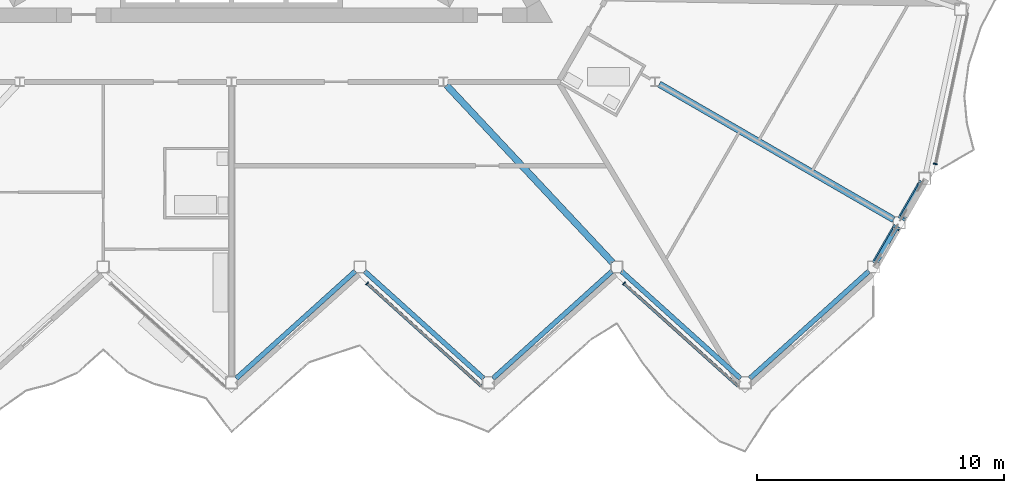
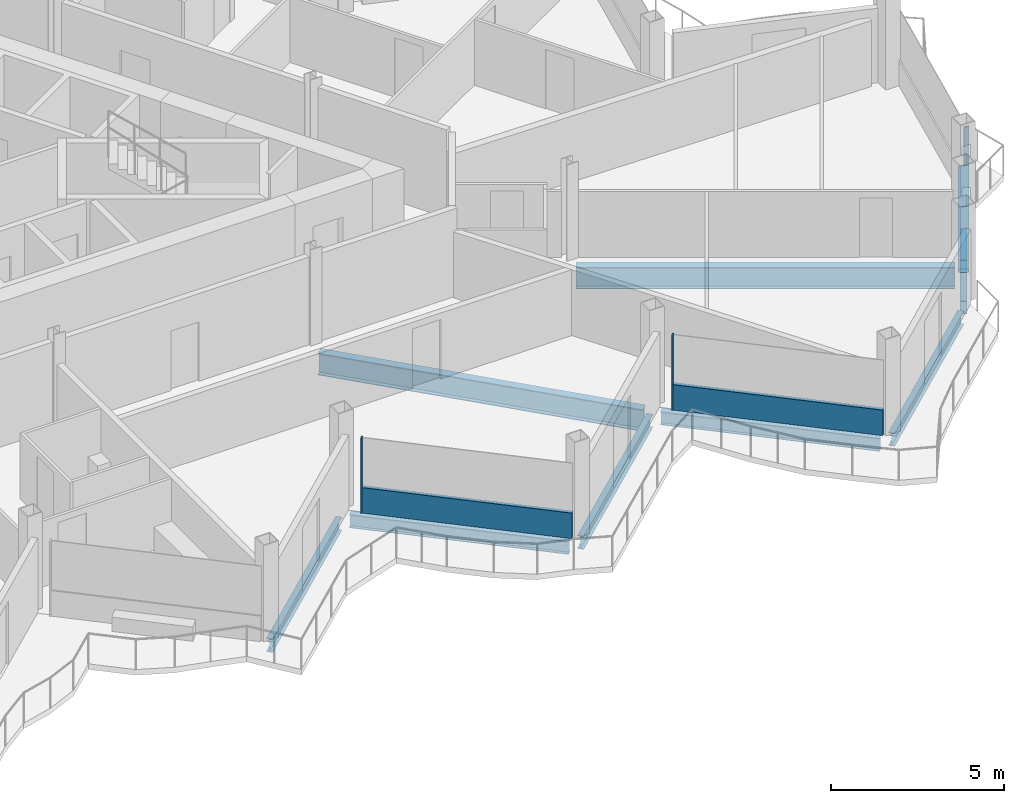
# One storey, part 7 of 26: 9 beams, 7 members, 3 elements without a shape of their own.
"""IFC4 building model written with IfcOpenShell, lengths in metres."""

from ifc_helpers import new_model, si_unit, direction, frame, origin, origin_2d, place, context, subcontext, project, spatial, rectangle, hollow_rectangle, i_section, extrude, material, layer, layer_set, material_profile, profile_set, type_object, element, aggregate, save


model = new_model("IFC4")

# Units and contexts
model_context = context("Model", 3, precision=1e-05, world=origin(), true_north=direction((0.0, 1.0)))
body_context = subcontext(model_context, "Body", "Model", "MODEL_VIEW")
ifc_project = project(units=[si_unit("LENGTHUNIT", "METRE"), si_unit("AREAUNIT", "SQUARE_METRE"), si_unit("VOLUMEUNIT", "CUBIC_METRE"), si_unit("PLANEANGLEUNIT", "RADIAN"), si_unit("MASSUNIT", "GRAM", prefix="KILO")], contexts=[model_context])

# Site, building, storey
site_placement = place(None, origin())
site = spatial("IfcSite", under=ifc_project, at=site_placement, CompositionType="ELEMENT")
building_placement = place(site_placement, origin())
building = spatial("IfcBuilding", under=site, at=building_placement, Name="Cormorant Prow Tower", CompositionType="ELEMENT")
storey_placement = place(building_placement, frame((0.0, 0.0, 384.800048828125)))
storey = spatial("IfcBuildingStorey", under=building, at=storey_placement, Name="L87", CompositionType="ELEMENT", Elevation=384.800048828125)

# Members
ifc_material_1 = material(Name="Structural steel ASTM A500 Gr C", Category="steel")
ifc_material_profile_1 = material_profile(ifc_material_1, hollow_rectangle(XDim=0.3046875, YDim=0.3046875, WallThickness=0.01171875, at=origin_2d()), Name="HSS12x12x1/2")
ifc_profile_set_1 = profile_set([ifc_material_profile_1], Name="Structural steel ASTM A500 Gr C")
member_type_1 = type_object("IfcMemberType", Name="Chamfer brace HSS12x12x1/2", PredefinedType="BRACE", material=ifc_profile_set_1)
member_1_placement = place(storey_placement, frame((26.123291015625, -17.192138671875, 0.7705078125), z_axis=(0.411298537745, 0.71230756954, 0.568727913175), x_axis=(-0.866000359435, 0.500043375578, 0.0)))
element("IfcMember", 1, at=member_1_placement, inside=storey, type_object=member_type_1, Name="Chamfer brace BR3 at ESE00 L87", PredefinedType="BRACE", context=body_context, shape_type="SweptSolid", body=[
    extrude(hollow_rectangle(XDim=0.3046875, YDim=0.3046875, WallThickness=0.01171875, at=origin_2d()), origin(), (0.0, 0.0, 1.0), 1.92138671875),
])
member_2_placement = place(storey_placement, frame((27.160400390625, -15.39599609375, 0.7705078125), z_axis=(0.411230183851, 0.712282194217, 0.568809117095), x_axis=(-0.866028632512, 0.499994407638, 0.0)))
element("IfcMember", 2, at=member_2_placement, inside=storey, type_object=member_type_1, Name="Chamfer brace BR3 at ESE01 L87", PredefinedType="BRACE", context=body_context, shape_type="SweptSolid", body=[
    extrude(hollow_rectangle(XDim=0.3046875, YDim=0.3046875, WallThickness=0.01171875, at=origin_2d()), origin(), (0.0, 0.0, 1.0), 1.921142578125),
])

# Beams
ifc_material_2 = material(Name="Structural steel ASTM A992 Gr 50", Category="steel")
ifc_material_profile_2 = material_profile(ifc_material_2, i_section(OverallWidth=0.267822265625, OverallDepth=0.77001953125, WebThickness=0.015625, FlangeThickness=0.025390625, at=origin_2d()), Name="W30x132")
ifc_profile_set_2 = profile_set([ifc_material_profile_2], Name="Structural steel ASTM A992 Gr 50")
beam_type_1 = type_object("IfcBeamType", Name="Radial floor beam W30x132", PredefinedType="BEAM", material=ifc_profile_set_2)
beam_1_placement = place(storey_placement, frame((8.706298828125, -10.0419921875, -0.68505859375), z_axis=(0.683430760659, -0.730015339144, 0.0), x_axis=(0.730015339144, 0.683430760659, 0.0)))
element("IfcBeam", 3, at=beam_1_placement, inside=storey, type_object=beam_type_1, Name="Radial floor beam FB3 8 L87", PredefinedType="BEAM", context=body_context, shape_type="SweptSolid", body=[
    extrude(i_section(OverallWidth=0.267822265625, OverallDepth=0.77001953125, WebThickness=0.015625, FlangeThickness=0.025390625, at=origin_2d()), origin(), (0.0, 0.0, 1.0), 9.8369140625),
])
beam_2_placement = place(storey_placement, frame((17.31884765625, -9.9990234375, -0.68505859375), z_axis=(0.866018830095, -0.500011385791, 0.0), x_axis=(0.500011385791, 0.866018830095, 0.0)))
element("IfcBeam", 4, at=beam_2_placement, inside=storey, type_object=beam_type_1, Name="Radial floor beam FB3 9 L87", PredefinedType="BEAM", context=body_context, shape_type="SweptSolid", body=[
    extrude(i_section(OverallWidth=0.267822265625, OverallDepth=0.77001953125, WebThickness=0.015625, FlangeThickness=0.025390625, at=origin_2d()), origin(), (0.0, 0.0, 1.0), 10.971435546875),
])

# Curtain wall, member
ifc_material_3 = material(Name="Aluminium 6063-T6", Category="aluminium")
ifc_layer = layer(ifc_material_3, 0.159912109375)
ifc_layer_set = layer_set([ifc_layer], Name="Aluminium 6063-T6")
curtain_wall_type = type_object("IfcCurtainWallType", Name="Residential unitised curtain wall 160", PredefinedType="NOTDEFINED", material=ifc_layer_set)
curtain_wall_1_placement = place(storey_placement, origin())
curtain_wall_1 = element("IfcCurtainWall", 5, at=curtain_wall_1_placement, inside=storey, type_object=curtain_wall_type, Name="Residential curtain wall S06", PredefinedType="NOTDEFINED")
ifc_material_4 = material(Name="Aluminium 6063-T6", Category="aluminium")
ifc_material_profile_3 = material_profile(ifc_material_4, rectangle(XDim=0.159912109375, YDim=0.050048828125, at=origin_2d()), Name="Residential mullion 50x160")
ifc_profile_set_3 = profile_set([ifc_material_profile_3], Name="Aluminium 6063-T6")
member_type_2 = type_object("IfcMemberType", Name="Residential mullion 50x160", PredefinedType="MULLION", material=ifc_profile_set_3)
member_3_placement = place(storey_placement, frame((5.490478515625, -18.0712890625, 0.0), z_axis=(0.0, 0.0, 1.0), x_axis=(0.669130603959, 0.743144827638, 0.0)))
member_3 = element("IfcMember", 6, at=member_3_placement, type_object=member_type_2, Name="Residential mullion S06", PredefinedType="MULLION", context=body_context, shape_type="SweptSolid", body=[
    extrude(rectangle(XDim=0.159912109375, YDim=0.050048828125, at=origin_2d()), origin(), (0.0, 0.0, 1.0), 2.6337890625),
])

curtain_wall_2_placement = place(storey_placement, origin())
curtain_wall_2 = element("IfcCurtainWall", 7, at=curtain_wall_2_placement, inside=storey, type_object=curtain_wall_type, Name="Residential curtain wall S08", PredefinedType="NOTDEFINED")
member_4_placement = place(storey_placement, frame((15.890625, -18.0712890625, 0.0), z_axis=(0.0, 0.0, 1.0), x_axis=(0.669130603959, 0.743144827638, 0.0)))
member_4 = element("IfcMember", 8, at=member_4_placement, type_object=member_type_2, Name="Residential mullion S08", PredefinedType="MULLION", context=body_context, shape_type="SweptSolid", body=[
    extrude(rectangle(XDim=0.159912109375, YDim=0.050048828125, at=origin_2d()), origin(), (0.0, 0.0, 1.0), 2.6337890625),
])

curtain_wall_3_placement = place(storey_placement, origin())
curtain_wall_3 = element("IfcCurtainWall", 9, at=curtain_wall_3_placement, inside=storey, type_object=curtain_wall_type, Name="Residential curtain wall ENE00", PredefinedType="NOTDEFINED")
member_5_placement = place(storey_placement, frame((28.5048828125, -13.2294921875, 0.0), z_axis=(0.0, 0.0, 1.0), x_axis=(-0.978147615768, 0.207911620089, 0.0)))
member_5 = element("IfcMember", 10, at=member_5_placement, type_object=member_type_2, Name="Residential mullion ENE00", PredefinedType="MULLION", context=body_context, shape_type="SweptSolid", body=[
    extrude(rectangle(XDim=0.159912109375, YDim=0.050048828125, at=origin_2d()), origin(), (0.0, 0.0, 1.0), 2.6337890625),
])
aggregate(curtain_wall_3, [member_5])

# Member
ifc_material_5 = material(Name="Terracotta", Category="masonry")
ifc_material_profile_4 = material_profile(ifc_material_5, rectangle(XDim=0.1201171875, YDim=0.89990234375, at=origin_2d()), Name="Residential terracotta spandrel rail 120x900")
ifc_profile_set_4 = profile_set([ifc_material_profile_4], Name="Terracotta")
member_type_3 = type_object("IfcMemberType", Name="Residential terracotta spandrel rail 120x900", PredefinedType="USERDEFINED", material=ifc_profile_set_4)
member_6_placement = place(storey_placement, frame((5.509033203125, -18.088134765625, 0.449951171875), z_axis=(0.743159360055, -0.669114463723, 0.0), x_axis=(0.669114463723, 0.743159360055, 0.0)))
member_6 = element("IfcMember", 11, at=member_6_placement, type_object=member_type_3, Name="Residential spandrel rail S06", ObjectType="TRANSOM", PredefinedType="USERDEFINED", context=body_context, shape_type="SweptSolid", body=[
    extrude(rectangle(XDim=0.1201171875, YDim=0.89990234375, at=origin_2d()), origin(), (0.0, 0.0, 1.0), 6.21533203125),
])

aggregate(curtain_wall_1, [member_3, member_6])

member_7_placement = place(storey_placement, frame((15.9091796875, -18.088134765625, 0.449951171875), z_axis=(0.743159360055, -0.669114463723, 0.0), x_axis=(0.669114463723, 0.743159360055, 0.0)))
member_7 = element("IfcMember", 12, at=member_7_placement, type_object=member_type_3, Name="Residential spandrel rail S08", ObjectType="TRANSOM", PredefinedType="USERDEFINED", context=body_context, shape_type="SweptSolid", body=[
    extrude(rectangle(XDim=0.1201171875, YDim=0.89990234375, at=origin_2d()), origin(), (0.0, 0.0, 1.0), 6.21533203125),
])

aggregate(curtain_wall_2, [member_4, member_7])

# Beams
ifc_material_6 = material(Name="Structural steel ASTM A992 Gr 50", Category="steel")
ifc_material_profile_5 = material_profile(ifc_material_6, i_section(OverallWidth=0.19287109375, OverallDepth=0.466064453125, WebThickness=0.011474609375, FlangeThickness=0.01904296875, at=origin_2d()), Name="W18x65")
ifc_profile_set_5 = profile_set([ifc_material_profile_5], Name="Structural steel ASTM A992 Gr 50")
beam_type_2 = type_object("IfcBeamType", Name="Spandrel beam W18x65", PredefinedType="SPANDREL", material=ifc_profile_set_5)
for number, where, z_axis, x_axis, name in (
    (13, (0.185791015625, -21.920654296875, -0.533203125), (0.743131573737, 0.669145323614, 0.0), (-0.669145323614, 0.743131573737, 0.0), "Spandrel beam SB4 S05-S06 L87"),
    (14, (5.3857421875, -17.572998046875, -0.533203125), (0.743131573737, -0.669145323614, 0.0), (0.669145323614, 0.743131573737, 0.0), "Spandrel beam SB4 S06-S07 L87"),
):
    element("IfcBeam", number, at=place(storey_placement, frame(where, z_axis=z_axis, x_axis=x_axis)), inside=storey, type_object=beam_type_2, Name=name, PredefinedType="SPANDREL", context=body_context, shape_type="SweptSolid", body=[
        extrude(i_section(OverallWidth=0.19287109375, OverallDepth=0.466064453125, WebThickness=0.011474609375, FlangeThickness=0.01904296875, at=origin_2d()), origin(), (0.0, 0.0, 1.0), 6.497314453125),
    ])
beam_3_placement = place(storey_placement, frame((10.585693359375, -21.920654296875, -0.533203125), z_axis=(0.743148397689, 0.669126638995, 0.0), x_axis=(-0.669126638995, 0.743148397689, 0.0)))
element("IfcBeam", 15, at=beam_3_placement, inside=storey, type_object=beam_type_2, Name="Spandrel beam SB4 S07-S08 L87", PredefinedType="SPANDREL", context=body_context, shape_type="SweptSolid", body=[
    extrude(i_section(OverallWidth=0.19287109375, OverallDepth=0.466064453125, WebThickness=0.011474609375, FlangeThickness=0.01904296875, at=origin_2d()), origin(), (0.0, 0.0, 1.0), 6.49755859375),
])
for number, where, z_axis, x_axis, name in (
    (16, (15.785888671875, -17.572998046875, -0.533203125), (0.743131573737, -0.669145323614, 0.0), (0.669145323614, 0.743131573737, 0.0), "Spandrel beam SB4 S08-S09 L87"),
    (17, (20.98583984375, -21.920654296875, -0.533203125), (0.743131573737, 0.669145323614, 0.0), (-0.669145323614, 0.743131573737, 0.0), "Spandrel beam SB4 S09-ESE00 L87"),
):
    element("IfcBeam", number, at=place(storey_placement, frame(where, z_axis=z_axis, x_axis=x_axis)), inside=storey, type_object=beam_type_2, Name=name, PredefinedType="SPANDREL", context=body_context, shape_type="SweptSolid", body=[
        extrude(i_section(OverallWidth=0.19287109375, OverallDepth=0.466064453125, WebThickness=0.011474609375, FlangeThickness=0.01904296875, at=origin_2d()), origin(), (0.0, 0.0, 1.0), 6.497314453125),
    ])
for number, where, z_axis, x_axis, name in (
    (18, (26.125, -17.189208984375, -0.533203125), (0.499959680857, 0.866048680801, 0.0), (-0.866048680801, 0.499959680857, 0.0), "Spandrel beam SB4 ESE00-ESE01 L87"),
    (19, (27.161865234375, -15.393310546875, -0.533203125), (0.499959680857, 0.866048680801, 0.0), (-0.866048680801, 0.499959680857, 0.0), "Spandrel beam SB4 ESE01-ENE00 L87"),
):
    element("IfcBeam", number, at=place(storey_placement, frame(where, z_axis=z_axis, x_axis=x_axis)), inside=storey, type_object=beam_type_2, Name=name, PredefinedType="SPANDREL", context=body_context, shape_type="SweptSolid", body=[
        extrude(i_section(OverallWidth=0.19287109375, OverallDepth=0.466064453125, WebThickness=0.011474609375, FlangeThickness=0.01904296875, at=origin_2d()), origin(), (0.0, 0.0, 1.0), 1.573974609375),
    ])

save(model, "model.ifc")
